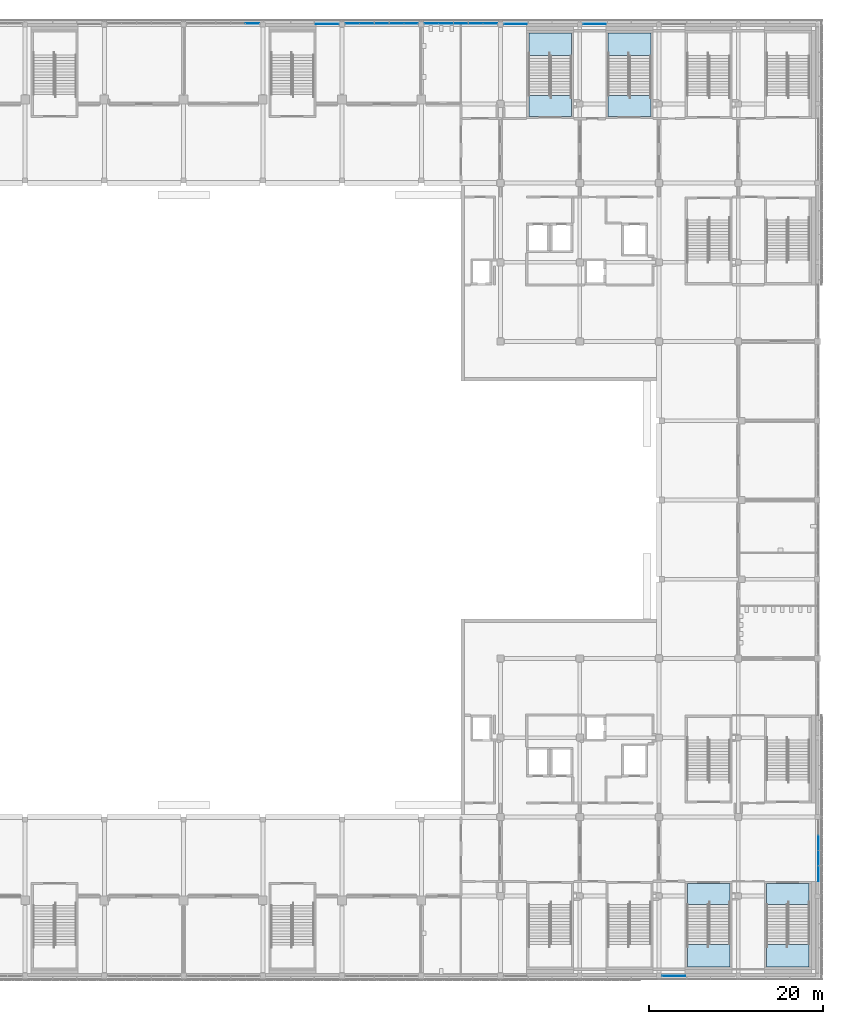
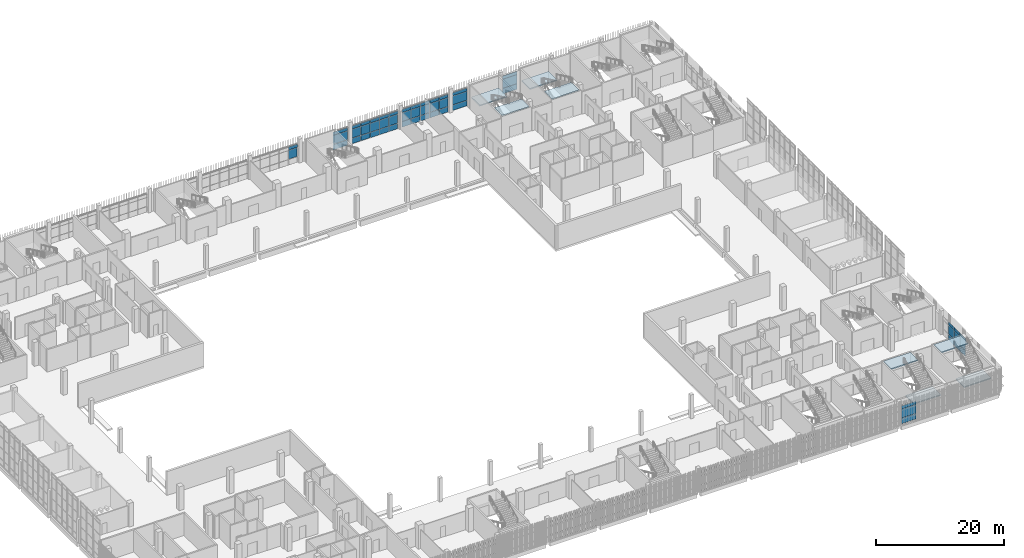
# One storey, part 69 of 126: 53 plates, 8 slabs, 12 elements without a shape of their own.
"""IFC4 building model written with IfcOpenShell, lengths in metres."""

from ifc_helpers import new_model, si_unit, direction, frame, origin, origin_2d, place, context, subcontext, project, spatial, polyline, rectangle, outline, extrude, material, layer, layer_set, type_object, element, aggregate, save


model = new_model("IFC4")

# Units and contexts
model_context = context("Model", 3, precision=1e-05, world=origin(), true_north=direction((0.0, 1.0)))
body_context = subcontext(model_context, "Body", "Model", "MODEL_VIEW")
ifc_project = project(units=[si_unit("LENGTHUNIT", "METRE"), si_unit("AREAUNIT", "SQUARE_METRE"), si_unit("VOLUMEUNIT", "CUBIC_METRE"), si_unit("PLANEANGLEUNIT", "RADIAN"), si_unit("MASSUNIT", "GRAM", prefix="KILO")], contexts=[model_context])

# Site, building, storey
site_placement = place(None, origin())
site = spatial("IfcSite", under=ifc_project, at=site_placement, CompositionType="ELEMENT")
building_placement = place(site_placement, origin())
building = spatial("IfcBuilding", under=site, at=building_placement, Name="Shirokan Park Arena", CompositionType="ELEMENT")
storey_placement = place(building_placement, frame((0.0, 0.0, 6.3701171875)))
storey = spatial("IfcBuildingStorey", under=building, at=storey_placement, Name="L01", CompositionType="ELEMENT", Elevation=6.3701171875)

# Curtain wall, plate
ifc_material_1 = material(Name="Steel and glass curtain wall", Category="steel")
ifc_layer_1 = layer(ifc_material_1, 0.1201171875)
ifc_layer_set_1 = layer_set([ifc_layer_1], Name="Steel and glass curtain wall 120 mm")
curtain_wall_type_1 = type_object("IfcCurtainWallType", Name="Curtain wall corner block side bay 120", PredefinedType="NOTDEFINED", material=ifc_layer_set_1)
curtain_wall_1_placement = place(storey_placement, origin())
curtain_wall_1 = element("IfcCurtainWall", 1, at=curtain_wall_1_placement, inside=storey, type_object=curtain_wall_type_1, Name="Curtain wall south bay 15 L01", PredefinedType="NOTDEFINED")
ifc_material_2 = material(Name="Aluminium sheet", Category="aluminium")
ifc_layer_2 = layer(ifc_material_2, 0.0029296875, Name="Aluminium sheet")
ifc_material_3 = material(Name="Mineral wool insulation")
ifc_layer_3 = layer(ifc_material_3, 0.053955078125, Name="Mineral wool insulation")
ifc_layer_4 = layer(ifc_material_2, 0.0029296875, Name="Aluminium sheet")
ifc_layer_set_2 = layer_set([ifc_layer_2, ifc_layer_3, ifc_layer_4], Name="Aluminium sheet + Mineral wool insulation")
plate_type_1 = type_object("IfcPlateType", Name="Insulated spandrel panel 60", PredefinedType="CURTAIN_PANEL", material=ifc_layer_set_2)
plate_1_placement = place(storey_placement, frame((129.08740234375, -0.090087890625, 2.86962890625), z_axis=(0.0, 0.0, 1.0), x_axis=(1.0, 0.0, 0.0)))
plate_1 = element("IfcPlate", 2, at=plate_1_placement, type_object=plate_type_1, Name="CW3 panel 1.3", PredefinedType="CURTAIN_PANEL", context=body_context, shape_type="SweptSolid", body=[
    extrude(rectangle(XDim=2.625, YDim=0.06005859375, at=origin_2d()), origin(), (0.0, 0.0, 1.0), 0.590087890625),
])

# Curtain wall, plates
curtain_wall_2_placement = place(storey_placement, origin())
curtain_wall_2 = element("IfcCurtainWall", 3, at=curtain_wall_2_placement, inside=storey, type_object=curtain_wall_type_1, Name="Curtain wall east bay 2 L01", PredefinedType="NOTDEFINED")
plate_2_placement = place(storey_placement, frame((145.68994140625, 11.675048828125, 2.86962890625), z_axis=(0.0, 0.0, 1.0), x_axis=(0.0, 1.0, 0.0)))
plate_2 = element("IfcPlate", 4, at=plate_2_placement, type_object=plate_type_1, Name="CW3 panel 1.3", PredefinedType="CURTAIN_PANEL", context=body_context, shape_type="SweptSolid", body=[
    extrude(rectangle(XDim=1.75, YDim=0.06005859375, at=origin_2d()), origin(), (0.0, 0.0, 1.0), 0.590087890625),
])
plate_3_placement = place(storey_placement, frame((145.68994140625, 13.46240234375, 2.86962890625), z_axis=(0.0, 0.0, 1.0), x_axis=(0.0, 1.0, 0.0)))
plate_3 = element("IfcPlate", 5, at=plate_3_placement, type_object=plate_type_1, Name="CW3 panel 2.3", PredefinedType="CURTAIN_PANEL", context=body_context, shape_type="SweptSolid", body=[
    extrude(rectangle(XDim=1.72509765625, YDim=0.06005859375, at=origin_2d()), origin(), (0.0, 0.0, 1.0), 0.590087890625),
])
plate_4_placement = place(storey_placement, frame((145.68994140625, 15.237548828125, 2.86962890625), z_axis=(0.0, 0.0, 1.0), x_axis=(0.0, 1.0, 0.0)))
plate_4 = element("IfcPlate", 6, at=plate_4_placement, type_object=plate_type_1, Name="CW3 panel 3.3", PredefinedType="CURTAIN_PANEL", context=body_context, shape_type="SweptSolid", body=[
    extrude(rectangle(XDim=1.72509765625, YDim=0.06005859375, at=origin_2d()), origin(), (0.0, 0.0, 1.0), 0.590087890625),
])

# Curtain wall, plate
curtain_wall_3_placement = place(storey_placement, origin())
curtain_wall_3 = element("IfcCurtainWall", 7, at=curtain_wall_3_placement, inside=storey, type_object=curtain_wall_type_1, Name="Curtain wall north bay 3 L01", PredefinedType="NOTDEFINED")
plate_5_placement = place(storey_placement, frame((119.987548828125, 109.2900390625, 2.86962890625), z_axis=(0.0, 0.0, 1.0), x_axis=(-1.0, 0.0, 0.0)))
plate_5 = element("IfcPlate", 8, at=plate_5_placement, type_object=plate_type_1, Name="CW3 panel 1.3", PredefinedType="CURTAIN_PANEL", context=body_context, shape_type="SweptSolid", body=[
    extrude(rectangle(XDim=2.625, YDim=0.06005859375, at=origin_2d()), origin(), (0.0, 0.0, 1.0), 0.590087890625),
])

curtain_wall_4_placement = place(storey_placement, origin())
curtain_wall_4 = element("IfcCurtainWall", 9, at=curtain_wall_4_placement, inside=storey, type_object=curtain_wall_type_1, Name="Curtain wall north bay 4 L01", PredefinedType="NOTDEFINED")
plate_6_placement = place(storey_placement, frame((110.89990234375, 109.2900390625, 2.86962890625), z_axis=(0.0, 0.0, 1.0), x_axis=(-1.0, 0.0, 0.0)))
plate_6 = element("IfcPlate", 10, at=plate_6_placement, type_object=plate_type_1, Name="CW3 panel 1.3", PredefinedType="CURTAIN_PANEL", context=body_context, shape_type="SweptSolid", body=[
    extrude(rectangle(XDim=2.60009765625, YDim=0.06005859375, at=origin_2d()), origin(), (0.0, 0.0, 1.0), 0.590087890625),
])

# Curtain wall, plates
ifc_layer_5 = layer(ifc_material_1, 0.10009765625)
ifc_layer_set_3 = layer_set([ifc_layer_5], Name="Steel and glass curtain wall 100 mm")
curtain_wall_type_2 = type_object("IfcCurtainWallType", Name="Curtain wall sheltered bay 100", PredefinedType="NOTDEFINED", material=ifc_layer_set_3)
curtain_wall_5_placement = place(storey_placement, origin())
curtain_wall_5 = element("IfcCurtainWall", 11, at=curtain_wall_5_placement, inside=storey, type_object=curtain_wall_type_2, Name="Curtain wall north bay 5 L01", PredefinedType="NOTDEFINED")
plate_7_placement = place(storey_placement, frame((108.012451171875, 109.300048828125, 2.86962890625), z_axis=(0.0, 0.0, 1.0), x_axis=(-1.0, 0.0, 0.0)))
plate_7 = element("IfcPlate", 12, at=plate_7_placement, type_object=plate_type_1, Name="CW2 panel 1.3", PredefinedType="CURTAIN_PANEL", context=body_context, shape_type="SweptSolid", body=[
    extrude(rectangle(XDim=1.574951171875, YDim=0.06005859375, at=origin_2d()), origin(), (0.0, 0.0, 1.0), 0.590087890625),
])
plate_8_placement = place(storey_placement, frame((106.35009765625, 109.300048828125, 2.86962890625), z_axis=(0.0, 0.0, 1.0), x_axis=(-1.0, 0.0, 0.0)))
plate_8 = element("IfcPlate", 13, at=plate_8_placement, type_object=plate_type_1, Name="CW2 panel 2.3", PredefinedType="CURTAIN_PANEL", context=body_context, shape_type="SweptSolid", body=[
    extrude(rectangle(XDim=1.64990234375, YDim=0.06005859375, at=origin_2d()), origin(), (0.0, 0.0, 1.0), 0.590087890625),
])
plate_9_placement = place(storey_placement, frame((104.64990234375, 109.300048828125, 2.86962890625), z_axis=(0.0, 0.0, 1.0), x_axis=(-1.0, 0.0, 0.0)))
plate_9 = element("IfcPlate", 14, at=plate_9_placement, type_object=plate_type_1, Name="CW2 panel 3.3", PredefinedType="CURTAIN_PANEL", context=body_context, shape_type="SweptSolid", body=[
    extrude(rectangle(XDim=1.64990234375, YDim=0.06005859375, at=origin_2d()), origin(), (0.0, 0.0, 1.0), 0.590087890625),
])
plate_10_placement = place(storey_placement, frame((102.949951171875, 109.300048828125, 2.86962890625), z_axis=(0.0, 0.0, 1.0), x_axis=(-1.0, 0.0, 0.0)))
plate_10 = element("IfcPlate", 15, at=plate_10_placement, type_object=plate_type_1, Name="CW2 panel 4.3", PredefinedType="CURTAIN_PANEL", context=body_context, shape_type="SweptSolid", body=[
    extrude(rectangle(XDim=1.64990234375, YDim=0.06005859375, at=origin_2d()), origin(), (0.0, 0.0, 1.0), 0.590087890625),
])
plate_11_placement = place(storey_placement, frame((101.28759765625, 109.300048828125, 2.86962890625), z_axis=(0.0, 0.0, 1.0), x_axis=(-1.0, 0.0, 0.0)))
plate_11 = element("IfcPlate", 16, at=plate_11_placement, type_object=plate_type_1, Name="CW2 panel 5.3", PredefinedType="CURTAIN_PANEL", context=body_context, shape_type="SweptSolid", body=[
    extrude(rectangle(XDim=1.574951171875, YDim=0.06005859375, at=origin_2d()), origin(), (0.0, 0.0, 1.0), 0.590087890625),
])

curtain_wall_6_placement = place(storey_placement, origin())
curtain_wall_6 = element("IfcCurtainWall", 17, at=curtain_wall_6_placement, inside=storey, type_object=curtain_wall_type_2, Name="Curtain wall north bay 6 L01", PredefinedType="NOTDEFINED")
plate_12_placement = place(storey_placement, frame((98.91259765625, 109.300048828125, 2.86962890625), z_axis=(0.0, 0.0, 1.0), x_axis=(-1.0, 0.0, 0.0)))
plate_12 = element("IfcPlate", 18, at=plate_12_placement, type_object=plate_type_1, Name="CW2 panel 1.3", PredefinedType="CURTAIN_PANEL", context=body_context, shape_type="SweptSolid", body=[
    extrude(rectangle(XDim=1.574951171875, YDim=0.06005859375, at=origin_2d()), origin(), (0.0, 0.0, 1.0), 0.590087890625),
])
plate_13_placement = place(storey_placement, frame((97.25, 109.300048828125, 2.86962890625), z_axis=(0.0, 0.0, 1.0), x_axis=(-1.0, 0.0, 0.0)))
plate_13 = element("IfcPlate", 19, at=plate_13_placement, type_object=plate_type_1, Name="CW2 panel 2.3", PredefinedType="CURTAIN_PANEL", context=body_context, shape_type="SweptSolid", body=[
    extrude(rectangle(XDim=1.64990234375, YDim=0.06005859375, at=origin_2d()), origin(), (0.0, 0.0, 1.0), 0.590087890625),
])
plate_14_placement = place(storey_placement, frame((95.550048828125, 109.300048828125, 2.86962890625), z_axis=(0.0, 0.0, 1.0), x_axis=(-1.0, 0.0, 0.0)))
plate_14 = element("IfcPlate", 20, at=plate_14_placement, type_object=plate_type_1, Name="CW2 panel 3.3", PredefinedType="CURTAIN_PANEL", context=body_context, shape_type="SweptSolid", body=[
    extrude(rectangle(XDim=1.64990234375, YDim=0.06005859375, at=origin_2d()), origin(), (0.0, 0.0, 1.0), 0.590087890625),
])
plate_15_placement = place(storey_placement, frame((93.85009765625, 109.300048828125, 2.86962890625), z_axis=(0.0, 0.0, 1.0), x_axis=(-1.0, 0.0, 0.0)))
plate_15 = element("IfcPlate", 21, at=plate_15_placement, type_object=plate_type_1, Name="CW2 panel 4.3", PredefinedType="CURTAIN_PANEL", context=body_context, shape_type="SweptSolid", body=[
    extrude(rectangle(XDim=1.64990234375, YDim=0.06005859375, at=origin_2d()), origin(), (0.0, 0.0, 1.0), 0.590087890625),
])
plate_16_placement = place(storey_placement, frame((92.1875, 109.300048828125, 2.86962890625), z_axis=(0.0, 0.0, 1.0), x_axis=(-1.0, 0.0, 0.0)))
plate_16 = element("IfcPlate", 22, at=plate_16_placement, type_object=plate_type_1, Name="CW2 panel 5.3", PredefinedType="CURTAIN_PANEL", context=body_context, shape_type="SweptSolid", body=[
    extrude(rectangle(XDim=1.574951171875, YDim=0.06005859375, at=origin_2d()), origin(), (0.0, 0.0, 1.0), 0.590087890625),
])

# Curtain wall, plate
curtain_wall_7_placement = place(storey_placement, origin())
curtain_wall_7 = element("IfcCurtainWall", 23, at=curtain_wall_7_placement, inside=storey, type_object=curtain_wall_type_1, Name="Curtain wall north bay 7 L01", PredefinedType="NOTDEFINED")
plate_17_placement = place(storey_placement, frame((89.300048828125, 109.2900390625, 2.86962890625), z_axis=(0.0, 0.0, 1.0), x_axis=(-1.0, 0.0, 0.0)))
plate_17 = element("IfcPlate", 24, at=plate_17_placement, type_object=plate_type_1, Name="CW3 panel 1.3", PredefinedType="CURTAIN_PANEL", context=body_context, shape_type="SweptSolid", body=[
    extrude(rectangle(XDim=2.60009765625, YDim=0.06005859375, at=origin_2d()), origin(), (0.0, 0.0, 1.0), 0.590087890625),
])

curtain_wall_8_placement = place(storey_placement, origin())
curtain_wall_8 = element("IfcCurtainWall", 25, at=curtain_wall_8_placement, inside=storey, type_object=curtain_wall_type_2, Name="Curtain wall north bay 8 L01", PredefinedType="NOTDEFINED")
plate_18_placement = place(storey_placement, frame((80.71240234375, 109.300048828125, 2.86962890625), z_axis=(0.0, 0.0, 1.0), x_axis=(-1.0, 0.0, 0.0)))
plate_18 = element("IfcPlate", 26, at=plate_18_placement, type_object=plate_type_1, Name="CW2 panel 1.3", PredefinedType="CURTAIN_PANEL", context=body_context, shape_type="SweptSolid", body=[
    extrude(rectangle(XDim=1.574951171875, YDim=0.06005859375, at=origin_2d()), origin(), (0.0, 0.0, 1.0), 0.590087890625),
])

# Plate
ifc_material_4 = material(Name="Toughened glass", Category="glass")
ifc_layer_6 = layer(ifc_material_4, 0.012939453125, Name="Toughened glass")
ifc_material_5 = material(Name="Interlayer film")
ifc_layer_7 = layer(ifc_material_5, 0.001953125, Name="Interlayer film")
ifc_layer_8 = layer(ifc_material_4, 0.012939453125, Name="Toughened glass")
ifc_layer_set_4 = layer_set([ifc_layer_6, ifc_layer_7, ifc_layer_8], Name="Toughened glass + Interlayer film")
plate_type_2 = type_object("IfcPlateType", Name="Laminated glass panel 28", PredefinedType="CURTAIN_PANEL", material=ifc_layer_set_4)
plate_19_placement = place(storey_placement, frame((129.08740234375, -0.090087890625, 1.119873046875), z_axis=(0.0, 0.0, 1.0), x_axis=(1.0, 0.0, 0.0)))
plate_19 = element("IfcPlate", 27, at=plate_19_placement, type_object=plate_type_2, Name="CW3 panel 1.2", PredefinedType="CURTAIN_PANEL", context=body_context, shape_type="SweptSolid", body=[
    extrude(rectangle(XDim=2.625, YDim=0.028076171875, at=origin_2d()), origin(), (0.0, 0.0, 1.0), 1.7099609375),
])

plate_20_placement = place(storey_placement, frame((145.68994140625, 11.675048828125, 1.119873046875), z_axis=(0.0, 0.0, 1.0), x_axis=(0.0, 1.0, 0.0)))
plate_20 = element("IfcPlate", 28, at=plate_20_placement, type_object=plate_type_2, Name="CW3 panel 1.2", PredefinedType="CURTAIN_PANEL", context=body_context, shape_type="SweptSolid", body=[
    extrude(rectangle(XDim=1.75, YDim=0.028076171875, at=origin_2d()), origin(), (0.0, 0.0, 1.0), 1.7099609375),
])

plate_21_placement = place(storey_placement, frame((145.68994140625, 13.46240234375, 1.119873046875), z_axis=(0.0, 0.0, 1.0), x_axis=(0.0, 1.0, 0.0)))
plate_21 = element("IfcPlate", 29, at=plate_21_placement, type_object=plate_type_2, Name="CW3 panel 2.2", PredefinedType="CURTAIN_PANEL", context=body_context, shape_type="SweptSolid", body=[
    extrude(rectangle(XDim=1.72509765625, YDim=0.028076171875, at=origin_2d()), origin(), (0.0, 0.0, 1.0), 1.7099609375),
])

plate_22_placement = place(storey_placement, frame((145.68994140625, 15.237548828125, 1.119873046875), z_axis=(0.0, 0.0, 1.0), x_axis=(0.0, 1.0, 0.0)))
plate_22 = element("IfcPlate", 30, at=plate_22_placement, type_object=plate_type_2, Name="CW3 panel 3.2", PredefinedType="CURTAIN_PANEL", context=body_context, shape_type="SweptSolid", body=[
    extrude(rectangle(XDim=1.72509765625, YDim=0.028076171875, at=origin_2d()), origin(), (0.0, 0.0, 1.0), 1.7099609375),
])

plate_23_placement = place(storey_placement, frame((119.987548828125, 109.2900390625, 1.119873046875), z_axis=(0.0, 0.0, 1.0), x_axis=(-1.0, 0.0, 0.0)))
plate_23 = element("IfcPlate", 31, at=plate_23_placement, type_object=plate_type_2, Name="CW3 panel 1.2", PredefinedType="CURTAIN_PANEL", context=body_context, shape_type="SweptSolid", body=[
    extrude(rectangle(XDim=2.625, YDim=0.028076171875, at=origin_2d()), origin(), (0.0, 0.0, 1.0), 1.7099609375),
])

plate_24_placement = place(storey_placement, frame((110.89990234375, 109.2900390625, 1.119873046875), z_axis=(0.0, 0.0, 1.0), x_axis=(-1.0, 0.0, 0.0)))
plate_24 = element("IfcPlate", 32, at=plate_24_placement, type_object=plate_type_2, Name="CW3 panel 1.2", PredefinedType="CURTAIN_PANEL", context=body_context, shape_type="SweptSolid", body=[
    extrude(rectangle(XDim=2.60009765625, YDim=0.028076171875, at=origin_2d()), origin(), (0.0, 0.0, 1.0), 1.7099609375),
])

plate_25_placement = place(storey_placement, frame((108.012451171875, 109.300048828125, 1.119873046875), z_axis=(0.0, 0.0, 1.0), x_axis=(-1.0, 0.0, 0.0)))
plate_25 = element("IfcPlate", 33, at=plate_25_placement, type_object=plate_type_2, Name="CW2 panel 1.2", PredefinedType="CURTAIN_PANEL", context=body_context, shape_type="SweptSolid", body=[
    extrude(rectangle(XDim=1.574951171875, YDim=0.028076171875, at=origin_2d()), origin(), (0.0, 0.0, 1.0), 1.7099609375),
])

plate_26_placement = place(storey_placement, frame((106.35009765625, 109.300048828125, 1.119873046875), z_axis=(0.0, 0.0, 1.0), x_axis=(-1.0, 0.0, 0.0)))
plate_26 = element("IfcPlate", 34, at=plate_26_placement, type_object=plate_type_2, Name="CW2 panel 2.2", PredefinedType="CURTAIN_PANEL", context=body_context, shape_type="SweptSolid", body=[
    extrude(rectangle(XDim=1.64990234375, YDim=0.028076171875, at=origin_2d()), origin(), (0.0, 0.0, 1.0), 1.7099609375),
])

plate_27_placement = place(storey_placement, frame((104.64990234375, 109.300048828125, 1.119873046875), z_axis=(0.0, 0.0, 1.0), x_axis=(-1.0, 0.0, 0.0)))
plate_27 = element("IfcPlate", 35, at=plate_27_placement, type_object=plate_type_2, Name="CW2 panel 3.2", PredefinedType="CURTAIN_PANEL", context=body_context, shape_type="SweptSolid", body=[
    extrude(rectangle(XDim=1.64990234375, YDim=0.028076171875, at=origin_2d()), origin(), (0.0, 0.0, 1.0), 1.7099609375),
])

plate_28_placement = place(storey_placement, frame((102.949951171875, 109.300048828125, 1.119873046875), z_axis=(0.0, 0.0, 1.0), x_axis=(-1.0, 0.0, 0.0)))
plate_28 = element("IfcPlate", 36, at=plate_28_placement, type_object=plate_type_2, Name="CW2 panel 4.2", PredefinedType="CURTAIN_PANEL", context=body_context, shape_type="SweptSolid", body=[
    extrude(rectangle(XDim=1.64990234375, YDim=0.028076171875, at=origin_2d()), origin(), (0.0, 0.0, 1.0), 1.7099609375),
])

plate_29_placement = place(storey_placement, frame((101.28759765625, 109.300048828125, 1.119873046875), z_axis=(0.0, 0.0, 1.0), x_axis=(-1.0, 0.0, 0.0)))
plate_29 = element("IfcPlate", 37, at=plate_29_placement, type_object=plate_type_2, Name="CW2 panel 5.2", PredefinedType="CURTAIN_PANEL", context=body_context, shape_type="SweptSolid", body=[
    extrude(rectangle(XDim=1.574951171875, YDim=0.028076171875, at=origin_2d()), origin(), (0.0, 0.0, 1.0), 1.7099609375),
])

plate_30_placement = place(storey_placement, frame((98.91259765625, 109.300048828125, 1.119873046875), z_axis=(0.0, 0.0, 1.0), x_axis=(-1.0, 0.0, 0.0)))
plate_30 = element("IfcPlate", 38, at=plate_30_placement, type_object=plate_type_2, Name="CW2 panel 1.2", PredefinedType="CURTAIN_PANEL", context=body_context, shape_type="SweptSolid", body=[
    extrude(rectangle(XDim=1.574951171875, YDim=0.028076171875, at=origin_2d()), origin(), (0.0, 0.0, 1.0), 1.7099609375),
])

plate_31_placement = place(storey_placement, frame((97.25, 109.300048828125, 1.119873046875), z_axis=(0.0, 0.0, 1.0), x_axis=(-1.0, 0.0, 0.0)))
plate_31 = element("IfcPlate", 39, at=plate_31_placement, type_object=plate_type_2, Name="CW2 panel 2.2", PredefinedType="CURTAIN_PANEL", context=body_context, shape_type="SweptSolid", body=[
    extrude(rectangle(XDim=1.64990234375, YDim=0.028076171875, at=origin_2d()), origin(), (0.0, 0.0, 1.0), 1.7099609375),
])

plate_32_placement = place(storey_placement, frame((95.550048828125, 109.300048828125, 1.119873046875), z_axis=(0.0, 0.0, 1.0), x_axis=(-1.0, 0.0, 0.0)))
plate_32 = element("IfcPlate", 40, at=plate_32_placement, type_object=plate_type_2, Name="CW2 panel 3.2", PredefinedType="CURTAIN_PANEL", context=body_context, shape_type="SweptSolid", body=[
    extrude(rectangle(XDim=1.64990234375, YDim=0.028076171875, at=origin_2d()), origin(), (0.0, 0.0, 1.0), 1.7099609375),
])

plate_33_placement = place(storey_placement, frame((93.85009765625, 109.300048828125, 1.119873046875), z_axis=(0.0, 0.0, 1.0), x_axis=(-1.0, 0.0, 0.0)))
plate_33 = element("IfcPlate", 41, at=plate_33_placement, type_object=plate_type_2, Name="CW2 panel 4.2", PredefinedType="CURTAIN_PANEL", context=body_context, shape_type="SweptSolid", body=[
    extrude(rectangle(XDim=1.64990234375, YDim=0.028076171875, at=origin_2d()), origin(), (0.0, 0.0, 1.0), 1.7099609375),
])

plate_34_placement = place(storey_placement, frame((92.1875, 109.300048828125, 1.119873046875), z_axis=(0.0, 0.0, 1.0), x_axis=(-1.0, 0.0, 0.0)))
plate_34 = element("IfcPlate", 42, at=plate_34_placement, type_object=plate_type_2, Name="CW2 panel 5.2", PredefinedType="CURTAIN_PANEL", context=body_context, shape_type="SweptSolid", body=[
    extrude(rectangle(XDim=1.574951171875, YDim=0.028076171875, at=origin_2d()), origin(), (0.0, 0.0, 1.0), 1.7099609375),
])

plate_35_placement = place(storey_placement, frame((89.300048828125, 109.2900390625, 1.119873046875), z_axis=(0.0, 0.0, 1.0), x_axis=(-1.0, 0.0, 0.0)))
plate_35 = element("IfcPlate", 43, at=plate_35_placement, type_object=plate_type_2, Name="CW3 panel 1.2", PredefinedType="CURTAIN_PANEL", context=body_context, shape_type="SweptSolid", body=[
    extrude(rectangle(XDim=2.60009765625, YDim=0.028076171875, at=origin_2d()), origin(), (0.0, 0.0, 1.0), 1.7099609375),
])

plate_36_placement = place(storey_placement, frame((80.71240234375, 109.300048828125, 1.119873046875), z_axis=(0.0, 0.0, 1.0), x_axis=(-1.0, 0.0, 0.0)))
plate_36 = element("IfcPlate", 44, at=plate_36_placement, type_object=plate_type_2, Name="CW2 panel 1.2", PredefinedType="CURTAIN_PANEL", context=body_context, shape_type="SweptSolid", body=[
    extrude(rectangle(XDim=1.574951171875, YDim=0.028076171875, at=origin_2d()), origin(), (0.0, 0.0, 1.0), 1.7099609375),
])

aggregate(curtain_wall_8, [plate_36, plate_18])

ifc_layer_9 = layer(ifc_material_4, 0.01708984375, Name="Toughened glass")
ifc_layer_10 = layer(ifc_material_5, 0.001953125, Name="Interlayer film")
ifc_layer_11 = layer(ifc_material_4, 0.01708984375, Name="Toughened glass")
ifc_layer_set_5 = layer_set([ifc_layer_9, ifc_layer_10, ifc_layer_11], Name="Toughened glass + Interlayer film")
plate_type_3 = type_object("IfcPlateType", Name="Laminated safety glass panel 36", PredefinedType="CURTAIN_PANEL", material=ifc_layer_set_5)
plate_37_placement = place(storey_placement, frame((129.08740234375, -0.090087890625, 0.039794921875), z_axis=(0.0, 0.0, 1.0), x_axis=(1.0, 0.0, 0.0)))
plate_37 = element("IfcPlate", 45, at=plate_37_placement, type_object=plate_type_3, Name="CW3 panel 1.1", PredefinedType="CURTAIN_PANEL", context=body_context, shape_type="SweptSolid", body=[
    extrude(rectangle(XDim=2.625, YDim=0.035888671875, at=origin_2d()), origin(), (0.0, 0.0, 1.0), 1.0400390625),
])

aggregate(curtain_wall_1, [plate_37, plate_19, plate_1])

plate_38_placement = place(storey_placement, frame((145.68994140625, 11.675048828125, 0.039794921875), z_axis=(0.0, 0.0, 1.0), x_axis=(0.0, 1.0, 0.0)))
plate_38 = element("IfcPlate", 46, at=plate_38_placement, type_object=plate_type_3, Name="CW3 panel 1.1", PredefinedType="CURTAIN_PANEL", context=body_context, shape_type="SweptSolid", body=[
    extrude(rectangle(XDim=1.75, YDim=0.035888671875, at=origin_2d()), origin(), (0.0, 0.0, 1.0), 1.0400390625),
])

plate_39_placement = place(storey_placement, frame((145.68994140625, 13.46240234375, 0.039794921875), z_axis=(0.0, 0.0, 1.0), x_axis=(0.0, 1.0, 0.0)))
plate_39 = element("IfcPlate", 47, at=plate_39_placement, type_object=plate_type_3, Name="CW3 panel 2.1", PredefinedType="CURTAIN_PANEL", context=body_context, shape_type="SweptSolid", body=[
    extrude(rectangle(XDim=1.72509765625, YDim=0.035888671875, at=origin_2d()), origin(), (0.0, 0.0, 1.0), 1.0400390625),
])

plate_40_placement = place(storey_placement, frame((145.68994140625, 15.237548828125, 0.039794921875), z_axis=(0.0, 0.0, 1.0), x_axis=(0.0, 1.0, 0.0)))
plate_40 = element("IfcPlate", 48, at=plate_40_placement, type_object=plate_type_3, Name="CW3 panel 3.1", PredefinedType="CURTAIN_PANEL", context=body_context, shape_type="SweptSolid", body=[
    extrude(rectangle(XDim=1.72509765625, YDim=0.035888671875, at=origin_2d()), origin(), (0.0, 0.0, 1.0), 1.0400390625),
])

aggregate(curtain_wall_2, [plate_38, plate_20, plate_2, plate_39, plate_21, plate_3, plate_40, plate_22, plate_4])

plate_41_placement = place(storey_placement, frame((119.987548828125, 109.2900390625, 0.039794921875), z_axis=(0.0, 0.0, 1.0), x_axis=(-1.0, 0.0, 0.0)))
plate_41 = element("IfcPlate", 49, at=plate_41_placement, type_object=plate_type_3, Name="CW3 panel 1.1", PredefinedType="CURTAIN_PANEL", context=body_context, shape_type="SweptSolid", body=[
    extrude(rectangle(XDim=2.625, YDim=0.035888671875, at=origin_2d()), origin(), (0.0, 0.0, 1.0), 1.0400390625),
])

aggregate(curtain_wall_3, [plate_41, plate_23, plate_5])

plate_42_placement = place(storey_placement, frame((110.89990234375, 109.2900390625, 0.039794921875), z_axis=(0.0, 0.0, 1.0), x_axis=(-1.0, 0.0, 0.0)))
plate_42 = element("IfcPlate", 50, at=plate_42_placement, type_object=plate_type_3, Name="CW3 panel 1.1", PredefinedType="CURTAIN_PANEL", context=body_context, shape_type="SweptSolid", body=[
    extrude(rectangle(XDim=2.60009765625, YDim=0.035888671875, at=origin_2d()), origin(), (0.0, 0.0, 1.0), 1.0400390625),
])

aggregate(curtain_wall_4, [plate_42, plate_24, plate_6])

plate_43_placement = place(storey_placement, frame((108.012451171875, 109.300048828125, 0.039794921875), z_axis=(0.0, 0.0, 1.0), x_axis=(-1.0, 0.0, 0.0)))
plate_43 = element("IfcPlate", 51, at=plate_43_placement, type_object=plate_type_3, Name="CW2 panel 1.1", PredefinedType="CURTAIN_PANEL", context=body_context, shape_type="SweptSolid", body=[
    extrude(rectangle(XDim=1.574951171875, YDim=0.035888671875, at=origin_2d()), origin(), (0.0, 0.0, 1.0), 1.0400390625),
])

plate_44_placement = place(storey_placement, frame((106.35009765625, 109.300048828125, 0.039794921875), z_axis=(0.0, 0.0, 1.0), x_axis=(-1.0, 0.0, 0.0)))
plate_44 = element("IfcPlate", 52, at=plate_44_placement, type_object=plate_type_3, Name="CW2 panel 2.1", PredefinedType="CURTAIN_PANEL", context=body_context, shape_type="SweptSolid", body=[
    extrude(rectangle(XDim=1.64990234375, YDim=0.035888671875, at=origin_2d()), origin(), (0.0, 0.0, 1.0), 1.0400390625),
])

plate_45_placement = place(storey_placement, frame((104.64990234375, 109.300048828125, 0.039794921875), z_axis=(0.0, 0.0, 1.0), x_axis=(-1.0, 0.0, 0.0)))
plate_45 = element("IfcPlate", 53, at=plate_45_placement, type_object=plate_type_3, Name="CW2 panel 3.1", PredefinedType="CURTAIN_PANEL", context=body_context, shape_type="SweptSolid", body=[
    extrude(rectangle(XDim=1.64990234375, YDim=0.035888671875, at=origin_2d()), origin(), (0.0, 0.0, 1.0), 1.0400390625),
])

plate_46_placement = place(storey_placement, frame((102.949951171875, 109.300048828125, 0.039794921875), z_axis=(0.0, 0.0, 1.0), x_axis=(-1.0, 0.0, 0.0)))
plate_46 = element("IfcPlate", 54, at=plate_46_placement, type_object=plate_type_3, Name="CW2 panel 4.1", PredefinedType="CURTAIN_PANEL", context=body_context, shape_type="SweptSolid", body=[
    extrude(rectangle(XDim=1.64990234375, YDim=0.035888671875, at=origin_2d()), origin(), (0.0, 0.0, 1.0), 1.0400390625),
])

plate_47_placement = place(storey_placement, frame((101.28759765625, 109.300048828125, 0.039794921875), z_axis=(0.0, 0.0, 1.0), x_axis=(-1.0, 0.0, 0.0)))
plate_47 = element("IfcPlate", 55, at=plate_47_placement, type_object=plate_type_3, Name="CW2 panel 5.1", PredefinedType="CURTAIN_PANEL", context=body_context, shape_type="SweptSolid", body=[
    extrude(rectangle(XDim=1.574951171875, YDim=0.035888671875, at=origin_2d()), origin(), (0.0, 0.0, 1.0), 1.0400390625),
])

aggregate(curtain_wall_5, [plate_43, plate_25, plate_7, plate_44, plate_26, plate_8, plate_45, plate_27, plate_9, plate_46, plate_28, plate_10, plate_47, plate_29, plate_11])

plate_48_placement = place(storey_placement, frame((98.91259765625, 109.300048828125, 0.039794921875), z_axis=(0.0, 0.0, 1.0), x_axis=(-1.0, 0.0, 0.0)))
plate_48 = element("IfcPlate", 56, at=plate_48_placement, type_object=plate_type_3, Name="CW2 panel 1.1", PredefinedType="CURTAIN_PANEL", context=body_context, shape_type="SweptSolid", body=[
    extrude(rectangle(XDim=1.574951171875, YDim=0.035888671875, at=origin_2d()), origin(), (0.0, 0.0, 1.0), 1.0400390625),
])

plate_49_placement = place(storey_placement, frame((97.25, 109.300048828125, 0.039794921875), z_axis=(0.0, 0.0, 1.0), x_axis=(-1.0, 0.0, 0.0)))
plate_49 = element("IfcPlate", 57, at=plate_49_placement, type_object=plate_type_3, Name="CW2 panel 2.1", PredefinedType="CURTAIN_PANEL", context=body_context, shape_type="SweptSolid", body=[
    extrude(rectangle(XDim=1.64990234375, YDim=0.035888671875, at=origin_2d()), origin(), (0.0, 0.0, 1.0), 1.0400390625),
])

plate_50_placement = place(storey_placement, frame((95.550048828125, 109.300048828125, 0.039794921875), z_axis=(0.0, 0.0, 1.0), x_axis=(-1.0, 0.0, 0.0)))
plate_50 = element("IfcPlate", 58, at=plate_50_placement, type_object=plate_type_3, Name="CW2 panel 3.1", PredefinedType="CURTAIN_PANEL", context=body_context, shape_type="SweptSolid", body=[
    extrude(rectangle(XDim=1.64990234375, YDim=0.035888671875, at=origin_2d()), origin(), (0.0, 0.0, 1.0), 1.0400390625),
])

plate_51_placement = place(storey_placement, frame((93.85009765625, 109.300048828125, 0.039794921875), z_axis=(0.0, 0.0, 1.0), x_axis=(-1.0, 0.0, 0.0)))
plate_51 = element("IfcPlate", 59, at=plate_51_placement, type_object=plate_type_3, Name="CW2 panel 4.1", PredefinedType="CURTAIN_PANEL", context=body_context, shape_type="SweptSolid", body=[
    extrude(rectangle(XDim=1.64990234375, YDim=0.035888671875, at=origin_2d()), origin(), (0.0, 0.0, 1.0), 1.0400390625),
])

plate_52_placement = place(storey_placement, frame((92.1875, 109.300048828125, 0.039794921875), z_axis=(0.0, 0.0, 1.0), x_axis=(-1.0, 0.0, 0.0)))
plate_52 = element("IfcPlate", 60, at=plate_52_placement, type_object=plate_type_3, Name="CW2 panel 5.1", PredefinedType="CURTAIN_PANEL", context=body_context, shape_type="SweptSolid", body=[
    extrude(rectangle(XDim=1.574951171875, YDim=0.035888671875, at=origin_2d()), origin(), (0.0, 0.0, 1.0), 1.0400390625),
])

aggregate(curtain_wall_6, [plate_48, plate_30, plate_12, plate_49, plate_31, plate_13, plate_50, plate_32, plate_14, plate_51, plate_33, plate_15, plate_52, plate_34, plate_16])

plate_53_placement = place(storey_placement, frame((89.300048828125, 109.2900390625, 0.039794921875), z_axis=(0.0, 0.0, 1.0), x_axis=(-1.0, 0.0, 0.0)))
plate_53 = element("IfcPlate", 61, at=plate_53_placement, type_object=plate_type_3, Name="CW3 panel 1.1", PredefinedType="CURTAIN_PANEL", context=body_context, shape_type="SweptSolid", body=[
    extrude(rectangle(XDim=2.60009765625, YDim=0.035888671875, at=origin_2d()), origin(), (0.0, 0.0, 1.0), 1.0400390625),
])

aggregate(curtain_wall_7, [plate_53, plate_35, plate_17])

# Stair, slabs
ifc_material_6 = material(Name="Concrete C30 precast", Category="concrete")
stair_type = type_object("IfcStairType", Name="Stair 30 risers 152 x 327 2400 wide", PredefinedType="TWO_STRAIGHT_RUN_STAIR", material=ifc_material_6)
stair_1_placement = place(storey_placement, origin())
stair_1 = element("IfcStair", 62, at=stair_1_placement, inside=storey, type_object=stair_type, Name="Exit Stair 2.A L01 to L02", PredefinedType="TWO_STRAIGHT_RUN_STAIR")
ifc_layer_12 = layer(ifc_material_6, 0.199951171875)
ifc_layer_set_6 = layer_set([ifc_layer_12], Name="Concrete C30 precast 200 mm")
slab_type = type_object("IfcSlabType", Name="Stair landing 200", PredefinedType="LANDING", material=ifc_layer_set_6)
slab_1_placement = place(storey_placement, frame((0.0, 0.0, 2.074951171875)))
slab_1 = element("IfcSlab", 63, at=slab_1_placement, type_object=slab_type, Name="ST04.2 landing 1", PredefinedType="LANDING", context=body_context, shape_type="SweptSolid", body=[
    extrude(outline(polyline([(139.75, 0.949951171875), (144.64990234375, 0.949951171875), (144.64990234375, 3.576171875), (139.75, 3.576171875), (139.75, 0.949951171875)])), origin(), (0.0, 0.0, 1.0), 0.199951171875),
])
slab_2_placement = place(storey_placement, frame((0.0, 0.0, 4.349853515625)))
slab_2 = element("IfcSlab", 64, at=slab_2_placement, type_object=slab_type, Name="ST04.2 landing 2", PredefinedType="LANDING", context=body_context, shape_type="SweptSolid", body=[
    extrude(outline(polyline([(139.75, 8.14990234375), (144.64990234375, 8.14990234375), (144.64990234375, 10.550048828125), (139.75, 10.550048828125), (139.75, 8.14990234375)])), origin(), (0.0, 0.0, 1.0), 0.199951171875),
])
aggregate(stair_1, [slab_1, slab_2])

stair_2_placement = place(storey_placement, origin())
stair_2 = element("IfcStair", 65, at=stair_2_placement, inside=storey, type_object=stair_type, Name="Exit Stair 2.B L01 to L02", PredefinedType="TWO_STRAIGHT_RUN_STAIR")
slab_3_placement = place(storey_placement, frame((0.0, 0.0, 2.074951171875)))
slab_3 = element("IfcSlab", 66, at=slab_3_placement, type_object=slab_type, Name="ST05.2 landing 1", PredefinedType="LANDING", context=body_context, shape_type="SweptSolid", body=[
    extrude(outline(polyline([(130.64990234375, 0.949951171875), (135.550048828125, 0.949951171875), (135.550048828125, 3.576171875), (130.64990234375, 3.576171875), (130.64990234375, 0.949951171875)])), origin(), (0.0, 0.0, 1.0), 0.199951171875),
])
slab_4_placement = place(storey_placement, frame((0.0, 0.0, 4.349853515625)))
slab_4 = element("IfcSlab", 67, at=slab_4_placement, type_object=slab_type, Name="ST05.2 landing 2", PredefinedType="LANDING", context=body_context, shape_type="SweptSolid", body=[
    extrude(outline(polyline([(130.64990234375, 8.14990234375), (135.550048828125, 8.14990234375), (135.550048828125, 10.550048828125), (130.64990234375, 10.550048828125), (130.64990234375, 8.14990234375)])), origin(), (0.0, 0.0, 1.0), 0.199951171875),
])
aggregate(stair_2, [slab_3, slab_4])

stair_3_placement = place(storey_placement, origin())
stair_3 = element("IfcStair", 68, at=stair_3_placement, inside=storey, type_object=stair_type, Name="Exit Stair 3.C L01 to L02", PredefinedType="TWO_STRAIGHT_RUN_STAIR")
slab_5_placement = place(storey_placement, frame((0.0, 0.0, 2.074951171875)))
slab_5 = element("IfcSlab", 69, at=slab_5_placement, type_object=slab_type, Name="ST18.2 landing 1", PredefinedType="LANDING", context=body_context, shape_type="SweptSolid", body=[
    extrude(outline(polyline([(121.550048828125, 105.623779296875), (126.449951171875, 105.623779296875), (126.449951171875, 108.25), (121.550048828125, 108.25), (121.550048828125, 105.623779296875)])), origin(), (0.0, 0.0, 1.0), 0.199951171875),
])
slab_6_placement = place(storey_placement, frame((0.0, 0.0, 4.349853515625)))
slab_6 = element("IfcSlab", 70, at=slab_6_placement, type_object=slab_type, Name="ST18.2 landing 2", PredefinedType="LANDING", context=body_context, shape_type="SweptSolid", body=[
    extrude(outline(polyline([(121.550048828125, 98.64990234375), (126.449951171875, 98.64990234375), (126.449951171875, 101.050048828125), (121.550048828125, 101.050048828125), (121.550048828125, 98.64990234375)])), origin(), (0.0, 0.0, 1.0), 0.199951171875),
])
aggregate(stair_3, [slab_5, slab_6])

stair_4_placement = place(storey_placement, origin())
stair_4 = element("IfcStair", 71, at=stair_4_placement, inside=storey, type_object=stair_type, Name="Exit Stair 3.D L01 to L02", PredefinedType="TWO_STRAIGHT_RUN_STAIR")
slab_7_placement = place(storey_placement, frame((0.0, 0.0, 2.074951171875)))
slab_7 = element("IfcSlab", 72, at=slab_7_placement, type_object=slab_type, Name="ST19.2 landing 1", PredefinedType="LANDING", context=body_context, shape_type="SweptSolid", body=[
    extrude(outline(polyline([(112.449951171875, 105.623779296875), (117.35009765625, 105.623779296875), (117.35009765625, 108.25), (112.449951171875, 108.25), (112.449951171875, 105.623779296875)])), origin(), (0.0, 0.0, 1.0), 0.199951171875),
])
slab_8_placement = place(storey_placement, frame((0.0, 0.0, 4.349853515625)))
slab_8 = element("IfcSlab", 73, at=slab_8_placement, type_object=slab_type, Name="ST19.2 landing 2", PredefinedType="LANDING", context=body_context, shape_type="SweptSolid", body=[
    extrude(outline(polyline([(112.449951171875, 98.64990234375), (117.35009765625, 98.64990234375), (117.35009765625, 101.050048828125), (112.449951171875, 101.050048828125), (112.449951171875, 98.64990234375)])), origin(), (0.0, 0.0, 1.0), 0.199951171875),
])
aggregate(stair_4, [slab_7, slab_8])

save(model, "model.ifc")
